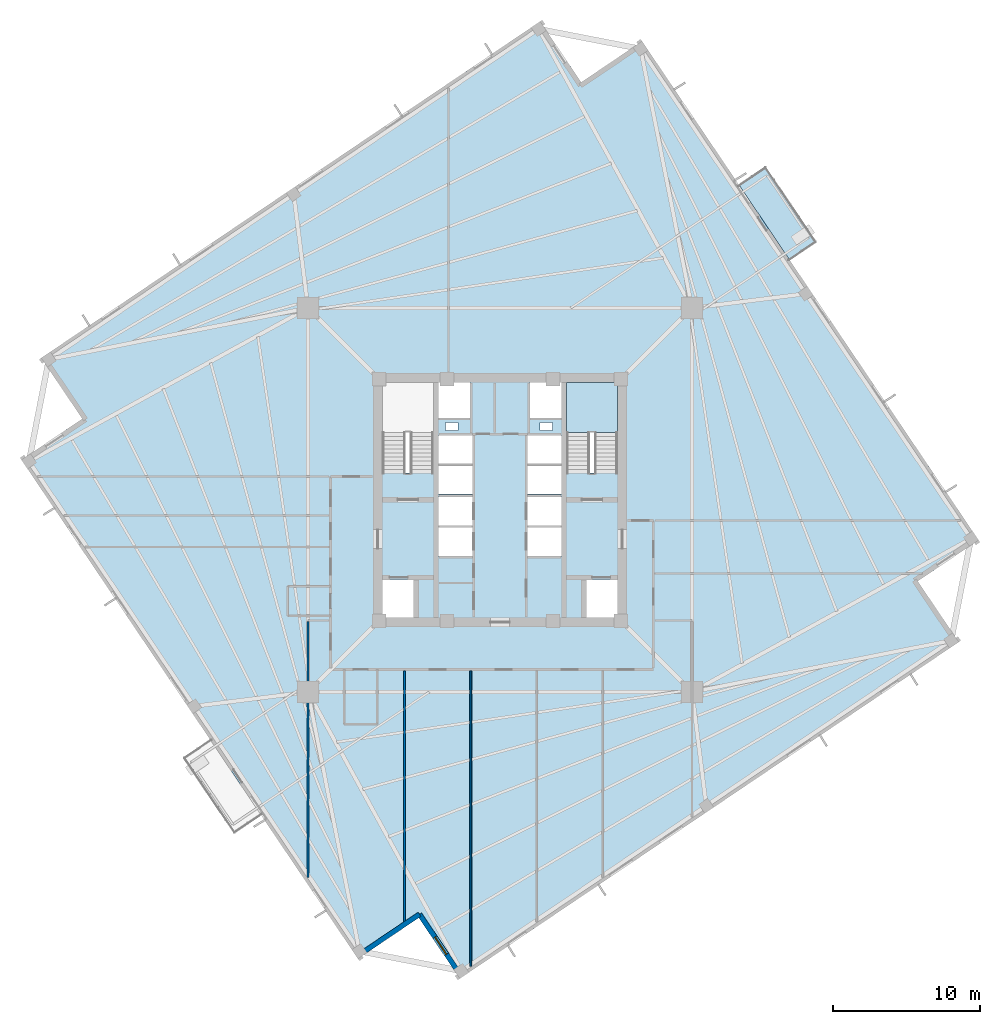
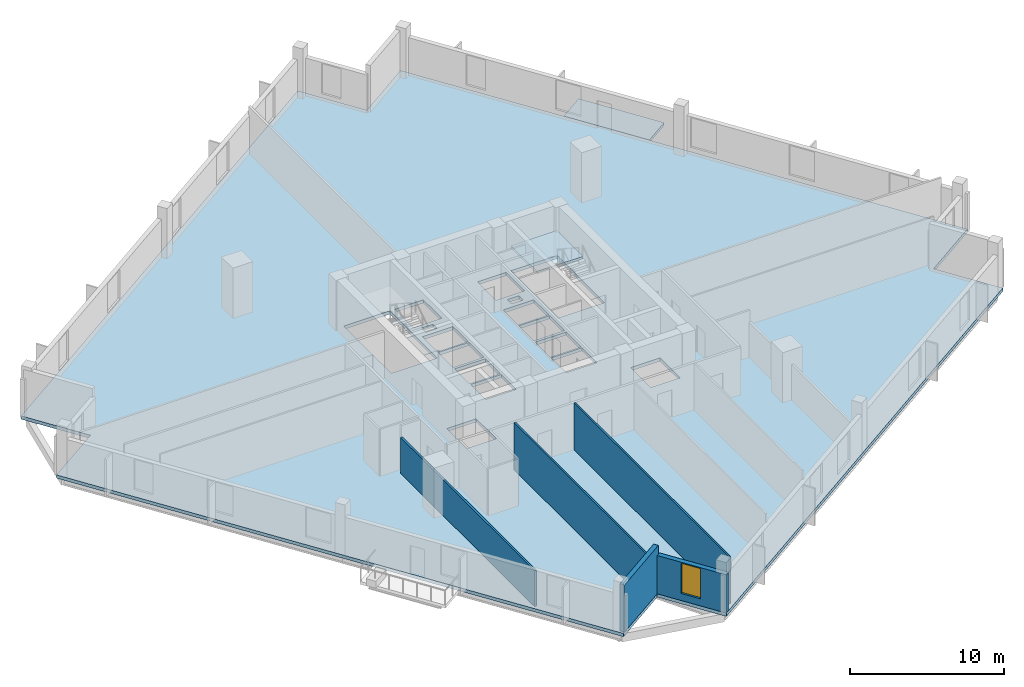
# One storey, part 2 of 9: 5 walls, 3 slabs, 1 window, 1 opening, 1 element without a shape of its own.
"""IFC4 building model written with IfcOpenShell, lengths in metres."""

import ifcopenshell
import ifcopenshell.guid

model = None  # the IFC model being written
_history = None  # IfcOwnerHistory: only IFC2X3 demands one
_inside = {}  # id of a spatial element -> (the spatial element, [elements in it])
_under = {}  # id of a project, library or spatial element -> (it, [spatial elements below it])
_declared = {}  # id of a project -> (the project, [libraries it declares])
_typed = {}  # id of a type object -> (the type object, [elements of that type])
_made_of = {}  # id of a material, layer set ... -> (it, [elements and type objects made of it])


def new_model(schema):
    """Start an empty IFC model of exactly this schema.

    Asked for "IFC4X3", IfcOpenShell would pick the latest addendum, in which some entities
    have other attributes; the version numbers below select the first issue.
    IFC2X3 requires an IfcOwnerHistory on every rooted entity: one is made here for all.
    """
    global model, _history
    if schema == "IFC4X3":
        model = ifcopenshell.file(schema_version=(4, 3, 0, 0))
    else:
        model = ifcopenshell.file(schema=schema)
    _inside.clear()
    _under.clear()
    _declared.clear()
    _typed.clear()
    _made_of.clear()
    _history = None
    if model.schema == "IFC2X3":
        org = make("IfcOrganization", Name="unknown")
        user = make(
            "IfcPersonAndOrganization",
            ThePerson=make("IfcPerson", FamilyName="unknown"),
            TheOrganization=org,
        )
        app = make(
            "IfcApplication",
            ApplicationDeveloper=org,
            Version="unknown",
            ApplicationFullName="unknown",
            ApplicationIdentifier="unknown",
        )
        _history = make(
            "IfcOwnerHistory",
            OwningUser=user,
            OwningApplication=app,
            ChangeAction="ADDED",
            CreationDate=0,
        )
    return model


def make(cls, **values):
    """One entity of the class cls with the attributes given. An attribute that is None is left unset."""
    return model.create_entity(
        cls, **{name: value for name, value in values.items() if value is not None}
    )


def rooted(cls, **values):
    """An entity with a GlobalId (a new one), such as an element, a storey or a relation."""
    return make(cls, GlobalId=ifcopenshell.guid.new(), OwnerHistory=_history, **values)


def si_unit(unit_type, name, prefix=None):
    """IfcSIUnit, for example si_unit("LENGTHUNIT", "METRE", prefix="MILLI")."""
    return make("IfcSIUnit", UnitType=unit_type, Prefix=prefix, Name=name)


def assignment(units):
    """IfcUnitAssignment: the units of a project."""
    return None if units is None else make("IfcUnitAssignment", Units=units)


def point(xyz):
    """IfcCartesianPoint."""
    return None if xyz is None else make("IfcCartesianPoint", Coordinates=xyz)


def direction(xyz):
    """IfcDirection."""
    return None if xyz is None else make("IfcDirection", DirectionRatios=xyz)


def frame(location, z_axis=None, x_axis=None):
    """IfcAxis2Placement3D, a coordinate frame: its origin and axes. An axis left out is left unset."""
    return make(
        "IfcAxis2Placement3D",
        Location=point(location),
        Axis=direction(z_axis),
        RefDirection=direction(x_axis),
    )


def frame_2d(location, x_axis=None):
    """IfcAxis2Placement2D, a coordinate frame in the plane: its origin and x axis."""
    return make(
        "IfcAxis2Placement2D", Location=point(location), RefDirection=direction(x_axis)
    )


def origin():
    """The frame at (0, 0, 0) with its axes left unset."""
    return frame((0.0, 0.0, 0.0))


def place(relative_to, where):
    """IfcLocalPlacement: puts the frame where relative to a parent placement (None: the world)."""
    return make(
        "IfcLocalPlacement", PlacementRelTo=relative_to, RelativePlacement=where
    )


def context(
    kind, dimensions, precision=None, world=None, true_north=None, identifier=None
):
    """IfcGeometricRepresentationContext, for example the 3D "Model" context."""
    return make(
        "IfcGeometricRepresentationContext",
        ContextIdentifier=identifier,
        ContextType=kind,
        CoordinateSpaceDimension=dimensions,
        Precision=precision,
        WorldCoordinateSystem=world,
        TrueNorth=true_north,
    )


def subcontext(parent, identifier, kind, view, scale=None):
    """IfcGeometricRepresentationSubContext, for example "Body" below "Model"."""
    return make(
        "IfcGeometricRepresentationSubContext",
        ContextIdentifier=identifier,
        ContextType=kind,
        ParentContext=parent,
        TargetScale=scale,
        TargetView=view,
    )


def project(units=None, contexts=None):
    """IfcProject with its units and contexts."""
    return rooted(
        "IfcProject",
        Name="project",
        RepresentationContexts=contexts,
        UnitsInContext=assignment(units),
    )


def spatial(cls, under=None, at=None, **own):
    """A site, building, storey or space (cls), placed at a placement, below another one or the project."""
    s = rooted(cls, ObjectPlacement=at, **own)
    if under is not None:
        _under.setdefault(under.id(), (under, []))[1].append(s)
    return s


def polyline(points):
    """IfcPolyline through the points."""
    return make("IfcPolyline", Points=[point(p) for p in points])


def profile(cls, at=None, kind="AREA", **sizes):
    """A parametric profile (cls). Its sizes go by their IFC names, for example OverallWidth=200.0."""
    return make(cls, ProfileType=kind, Position=at, **sizes)


def rectangle(**sizes):
    """IfcRectangleProfileDef."""
    return profile("IfcRectangleProfileDef", **sizes)


def outline(outer, holes=None, kind="AREA"):
    """IfcArbitraryClosedProfileDef: a profile drawn as a closed curve; with holes, ...WithVoids."""
    if holes is None:
        return make("IfcArbitraryClosedProfileDef", ProfileType=kind, OuterCurve=outer)
    return make(
        "IfcArbitraryProfileDefWithVoids",
        ProfileType=kind,
        OuterCurve=outer,
        InnerCurves=holes,
    )


def extrude(swept, where, along, depth):
    """IfcExtrudedAreaSolid: the profile swept, set in the frame where, extruded along a direction by depth."""
    return make(
        "IfcExtrudedAreaSolid",
        SweptArea=swept,
        Position=where,
        ExtrudedDirection=direction(along),
        Depth=depth,
    )


def shape(context_of_items, identifier, shape_type, items):
    """IfcShapeRepresentation: the items that make up one representation, for example the "Body"."""
    return make(
        "IfcShapeRepresentation",
        ContextOfItems=context_of_items,
        RepresentationIdentifier=identifier,
        RepresentationType=shape_type,
        Items=items,
    )


def source(mapping_origin, context_of_items, identifier, shape_type, items):
    """IfcRepresentationMap: a shape defined once, which mapped items show again and again."""
    return make(
        "IfcRepresentationMap",
        MappingOrigin=mapping_origin,
        MappedRepresentation=shape(context_of_items, identifier, shape_type, items),
    )


def transform(
    local_origin,
    x_axis=None,
    y_axis=None,
    z_axis=None,
    scale=None,
    scale2=None,
    scale3=None,
    uniform=True,
):
    """IfcCartesianTransformationOperator3D, or its non-uniform kind. x_axis, y_axis, z_axis: its Axis1, 2, 3."""
    if uniform:
        return make(
            "IfcCartesianTransformationOperator3D",
            Axis1=direction(x_axis),
            Axis2=direction(y_axis),
            LocalOrigin=point(local_origin),
            Scale=scale,
            Axis3=direction(z_axis),
        )
    return make(
        "IfcCartesianTransformationOperator3DnonUniform",
        Axis1=direction(x_axis),
        Axis2=direction(y_axis),
        LocalOrigin=point(local_origin),
        Scale=scale,
        Axis3=direction(z_axis),
        Scale2=scale2,
        Scale3=scale3,
    )


def mapped(mapping_source, mapping_target):
    """IfcMappedItem: shows the shape of a source again, moved by a transform."""
    return make(
        "IfcMappedItem", MappingSource=mapping_source, MappingTarget=mapping_target
    )


def material(Name=None, Category=None):
    """IfcMaterial."""
    return make("IfcMaterial", Name=Name, Category=Category)


def layer(
    of_material, thickness, ventilated=None, Name=None, Category=None, Priority=None
):
    """IfcMaterialLayer: one layer of a wall or slab, of a material (None: an air gap)."""
    return make(
        "IfcMaterialLayer",
        Material=of_material,
        LayerThickness=thickness,
        IsVentilated=ventilated,
        Name=Name,
        Category=Category,
        Priority=Priority,
    )


def layer_set(layers, Name=None):
    """IfcMaterialLayerSet."""
    return make("IfcMaterialLayerSet", MaterialLayers=layers, LayerSetName=Name)


def made_of(thing, what):
    """Note that an element or type object is made of a material, layer set ...; save() writes the relation."""
    if what is not None:
        _made_of.setdefault(what.id(), (what, []))[1].append(thing)
    return thing


def type_object(cls, material=None, **own):
    """A type object (cls), such as IfcWallType, which elements share."""
    return made_of(rooted(cls, **own), material)


def element(
    cls,
    number,
    at=None,
    inside=None,
    cuts=None,
    type_object=None,
    material=None,
    context=None,
    identifier="Body",
    shape_type=None,
    held_by="IfcProductDefinitionShape",
    body=None,
    shapes=None,
    **own,
):
    """One element of the class cls, such as IfcWall. Its Tag is "e" and its number.

    at: its placement. inside: the storey or other place that contains it. cuts: it is an
    opening in that element (IfcRelVoidsElement). A single representation is given by context,
    identifier, shape_type and body (its items); several are given by shapes. held_by: the class
    of the entity that holds the representations. save() writes the other relations.
    """
    e = rooted(cls, Tag="e%d" % number, ObjectPlacement=at, **own)
    if body is not None:
        shapes = [shape(context, identifier, shape_type, body)]
    if shapes is not None:
        e.Representation = make(held_by, Representations=shapes)
    if inside is not None:
        _inside.setdefault(inside.id(), (inside, []))[1].append(e)
    if cuts is not None:
        rooted(
            "IfcRelVoidsElement", RelatingBuildingElement=cuts, RelatedOpeningElement=e
        )
    if type_object is not None:
        _typed.setdefault(type_object.id(), (type_object, []))[1].append(e)
    return made_of(e, material)


def fill(opening, filler):
    """IfcRelFillsElement: the door or window that sits in an opening."""
    return rooted(
        "IfcRelFillsElement",
        RelatingOpeningElement=opening,
        RelatedBuildingElement=filler,
    )


def aggregate(whole, parts):
    """IfcRelAggregates: a whole, such as a stair, and the parts it consists of."""
    return rooted("IfcRelAggregates", RelatingObject=whole, RelatedObjects=parts)


def save(model, path):
    """Write the relations noted so far, then the file.

    IfcRelAggregates (storeys below a building ...), IfcRelContainedInSpatialStructure (elements
    in a storey), IfcRelDefinesByType, IfcRelAssociatesMaterial and IfcRelDeclares: one each for
    every whole, place, type object, material and project.
    """
    for whole, parts in _under.values():
        aggregate(whole, parts)
    for where, things in _inside.values():
        rooted(
            "IfcRelContainedInSpatialStructure",
            RelatedElements=things,
            RelatingStructure=where,
        )
    for kind, things in _typed.values():
        rooted("IfcRelDefinesByType", RelatedObjects=things, RelatingType=kind)
    for what, things in _made_of.values():
        rooted("IfcRelAssociatesMaterial", RelatedObjects=things, RelatingMaterial=what)
    for by, libraries in _declared.values():
        rooted("IfcRelDeclares", RelatingContext=by, RelatedDefinitions=libraries)
    model.write(path)


model = new_model("IFC4")

# Units and contexts
model_context = context("Model", 3, precision=1e-05, world=origin(), true_north=direction((0.0, 1.0)))
body_context = subcontext(model_context, "Body", "Model", "MODEL_VIEW")
ifc_project = project(units=[si_unit("LENGTHUNIT", "METRE"), si_unit("AREAUNIT", "SQUARE_METRE"), si_unit("VOLUMEUNIT", "CUBIC_METRE"), si_unit("PLANEANGLEUNIT", "RADIAN"), si_unit("MASSUNIT", "GRAM", prefix="KILO"), si_unit("THERMODYNAMICTEMPERATUREUNIT", "KELVIN")], contexts=[model_context])

# Site, building, storey
site_placement = place(None, origin())
site = spatial("IfcSite", under=ifc_project, at=site_placement, CompositionType="ELEMENT")
building_placement = place(site_placement, origin())
building = spatial("IfcBuilding", under=site, at=building_placement, Name="Kosmvard Interchange Tower", CompositionType="ELEMENT")
storey_placement = place(building_placement, frame((0.0, 0.0, 156.39990234375)))
storey = spatial("IfcBuildingStorey", under=building, at=storey_placement, Name="L37", CompositionType="ELEMENT", Elevation=156.39990234375)

# Slab
ifc_material_1 = material(Name="Concrete C50/60", Category="concrete")
ifc_layer_1 = layer(ifc_material_1, 0.260009765625, Name="Concrete C50/60")
ifc_layer_set_1 = layer_set([ifc_layer_1], Name="Concrete C50/60")
slab_type_1 = type_object("IfcSlabType", Name="Mid-Rise Office Composite Slab 260 C50/60", PredefinedType="FLOOR", material=ifc_layer_set_1)
slab_1_placement = place(storey_placement, frame((0.0, 0.0, -0.260009765625)))
element("IfcSlab", 1, at=slab_1_placement, inside=storey, type_object=slab_type_1, Name="L37 Structural Floor Slab", PredefinedType="FLOOR", context=body_context, shape_type="SweptSolid", body=[
    extrude(outline(polyline([(-2.73583984375, -32.60400390625), (31.254638671875, -9.677001953125), (28.458740234375, -5.53173828125), (32.60400390625, -2.73583984375), (9.677001953125, 31.254638671875), (5.53173828125, 28.458740234375), (2.73583984375, 32.60400390625), (-31.254638671875, 9.677001953125), (-28.458740234375, 5.53173828125), (-32.60400390625, 2.73583984375), (-9.677001953125, -31.254638671875), (-5.53173828125, -28.458740234375), (-2.73583984375, -32.60400390625)]), holes=[polyline([(-8.0, 1.8349609375), (-4.5400390625, 1.8349609375), (-4.5400390625, 8.0), (-8.0, 8.0), (-8.0, 1.8349609375)]), polyline([(4.5400390625, 1.8349609375), (8.0, 1.8349609375), (8.0, 8.0), (4.5400390625, 8.0), (4.5400390625, 1.8349609375)]), polyline([(-8.0, -8.0), (-5.800048828125, -8.0), (-5.800048828125, -5.39990234375), (-8.0, -5.39990234375), (-8.0, -8.0)]), polyline([(5.800048828125, -8.0), (8.0, -8.0), (8.0, -5.39990234375), (5.800048828125, -5.39990234375), (5.800048828125, -8.0)]), polyline([(-4.179931640625, -3.800048828125), (-1.8798828125, -3.800048828125), (-1.8798828125, -1.860107421875), (-4.179931640625, -1.860107421875), (-4.179931640625, -3.800048828125)]), polyline([(-4.179931640625, -1.739990234375), (-1.8798828125, -1.739990234375), (-1.8798828125, 0.199951171875), (-4.179931640625, 0.199951171875), (-4.179931640625, -1.739990234375)]), polyline([(1.8798828125, -3.800048828125), (4.179931640625, -3.800048828125), (4.179931640625, -1.860107421875), (1.8798828125, -1.860107421875), (1.8798828125, -3.800048828125)]), polyline([(1.8798828125, -1.739990234375), (4.179931640625, -1.739990234375), (4.179931640625, 0.199951171875), (1.8798828125, 0.199951171875), (1.8798828125, -1.739990234375)]), polyline([(-4.179931640625, 0.39990234375), (-1.8798828125, 0.39990234375), (-1.8798828125, 2.340087890625), (-4.179931640625, 2.340087890625), (-4.179931640625, 0.39990234375)]), polyline([(-4.179931640625, 2.4599609375), (-1.8798828125, 2.4599609375), (-1.8798828125, 4.39990234375), (-4.179931640625, 4.39990234375), (-4.179931640625, 2.4599609375)]), polyline([(1.8798828125, 0.39990234375), (4.179931640625, 0.39990234375), (4.179931640625, 2.340087890625), (1.8798828125, 2.340087890625), (1.8798828125, 0.39990234375)]), polyline([(1.8798828125, 2.4599609375), (4.179931640625, 2.4599609375), (4.179931640625, 4.39990234375), (1.8798828125, 4.39990234375), (1.8798828125, 2.4599609375)]), polyline([(-4.179931640625, 5.60009765625), (-2.0400390625, 5.60009765625), (-2.0400390625, 8.0), (-4.179931640625, 8.0), (-4.179931640625, 5.60009765625)]), polyline([(2.0400390625, 5.60009765625), (4.179931640625, 5.60009765625), (4.179931640625, 8.0), (2.0400390625, 8.0), (2.0400390625, 5.60009765625)]), polyline([(-3.715087890625, 4.739990234375), (-2.864990234375, 4.739990234375), (-2.864990234375, 5.2900390625), (-3.715087890625, 5.2900390625), (-3.715087890625, 4.739990234375)]), polyline([(2.715087890625, 4.739990234375), (3.56494140625, 4.739990234375), (3.56494140625, 5.2900390625), (2.715087890625, 5.2900390625), (2.715087890625, 4.739990234375)])]), origin(), (0.0, 0.0, 1.0), 0.260009765625),
])

# Stair, slab
stair_type = type_object("IfcStairType", Name="Dog-Leg Core Exit Stair H4000 C50/60", PredefinedType="HALF_TURN_STAIR", material=ifc_material_1)
stair_placement = place(storey_placement, origin())
stair = element("IfcStair", 2, at=stair_placement, inside=storey, type_object=stair_type, Name="L37 Protected Exit Stair ST-2", PredefinedType="HALF_TURN_STAIR")
ifc_layer_2 = layer(ifc_material_1, 0.199951171875, Name="Concrete C50/60")
ifc_layer_set_2 = layer_set([ifc_layer_2], Name="Concrete C50/60")
slab_type_2 = type_object("IfcSlabType", Name="Stair Half-Landing Slab 200 C50/60", PredefinedType="LANDING", material=ifc_layer_set_2)
slab_2_placement = place(storey_placement, frame((0.0, 0.0, 1.800048828125)))
slab_2 = element("IfcSlab", 3, at=slab_2_placement, type_object=slab_type_2, Name="ST-2 landing 1", PredefinedType="LANDING", context=body_context, shape_type="SweptSolid", body=[
    extrude(outline(polyline([(8.0, 4.60009765625), (8.0, 8.0), (4.5400390625, 8.0), (4.5400390625, 4.60009765625), (8.0, 4.60009765625)])), origin(), (0.0, 0.0, 1.0), 0.199951171875),
])
aggregate(stair, [slab_2])

# Slab
ifc_layer_3 = layer(ifc_material_1, 0.22998046875, Name="Concrete C50/60")
ifc_layer_set_3 = layer_set([ifc_layer_3], Name="Concrete C50/60")
slab_type_3 = type_object("IfcSlabType", Name="Tree-Planter Cantilever Balcony Slab 230 C50/60", PredefinedType="FLOOR", material=ifc_layer_set_3)
slab_3_placement = place(storey_placement, frame((0.0, 0.0, -0.22998046875)))
element("IfcSlab", 4, at=slab_3_placement, inside=storey, type_object=slab_type_3, Name="L37 Outdoor Terrace Balcony Slab BAL-L37-E", PredefinedType="FLOOR", context=body_context, shape_type="SweptSolid", body=[
    extrude(outline(polyline([(19.742431640625, 16.33203125), (21.56640625, 17.562255859375), (18.099365234375, 22.702392578125), (16.275390625, 21.47216796875), (19.742431640625, 16.33203125)])), origin(), (0.0, 0.0, 1.0), 0.22998046875),
])

# Walls
ifc_material_2 = material(Name="Acoustic gypsum partition system")
ifc_layer_4 = layer(ifc_material_2, 0.14990234375, Name="Acoustic gypsum partition system")
ifc_layer_set_4 = layer_set([ifc_layer_4], Name="Acoustic gypsum partition system")
wall_type_1 = type_object("IfcWallType", Name="Acoustic Suite & Meeting Partition 150", PredefinedType="PARTITIONING", material=ifc_layer_set_4)
wall_1_placement = place(storey_placement, frame((-13.0810546875, -8.27490234375, 0.0), z_axis=(0.0, 0.0, 1.0), x_axis=(0.0, -1.0, 0.0)))
element("IfcWall", 5, at=wall_1_placement, inside=storey, type_object=wall_type_1, Name="L37 Room Partition 06.1", PredefinedType="PARTITIONING", context=body_context, shape_type="SweptSolid", body=[
    extrude(rectangle(XDim=17.44140625, YDim=0.14990234375, at=frame_2d((8.720703125, 0.0))), origin(), (0.0, 0.0, 1.0), 2.840087890625),
])
ifc_material_3 = material(Name="Precast concrete C45/55", Category="concrete")
ifc_layer_5 = layer(ifc_material_3, 0.340087890625, Name="Precast concrete C45/55")
ifc_layer_set_5 = layer_set([ifc_layer_5], Name="Precast concrete C45/55")
wall_type_2 = type_object("IfcWallType", Name="Mid Tower Precast Pier Wall 340 C45/55", PredefinedType="STANDARD", material=ifc_layer_set_5)
wall_2_placement = place(storey_placement, frame((-9.631103515625, -31.018798828125, 0.0), z_axis=(0.0, 0.0, 1.0), x_axis=(0.829025804298, 0.559210350234, 0.0)))
element("IfcWall", 6, at=wall_2_placement, inside=storey, type_object=wall_type_2, Name="L37 Precast Facade Wall N-SW1", PredefinedType="STANDARD", context=body_context, shape_type="SweptSolid", body=[
    extrude(rectangle(XDim=5.000244140625, YDim=0.340087890625, at=frame_2d((2.5, 0.0))), origin(), (0.0, 0.0, 1.0), 3.739990234375),
])

# Wall, opening, window
wall_3_placement = place(storey_placement, frame((-5.48583984375, -28.22265625, 0.0), z_axis=(0.0, 0.0, 1.0), x_axis=(0.559171107879, -0.82905227345, 0.0)))
wall_3 = element("IfcWall", 7, at=wall_3_placement, inside=storey, type_object=wall_type_2, Name="L37 Precast Facade Wall N-SW2", PredefinedType="STANDARD", context=body_context, shape_type="SweptSolid", body=[
    extrude(rectangle(XDim=5.169921875, YDim=0.340087890625, at=frame_2d((2.5849609375, 0.0))), origin(), (0.0, 0.0, 1.0), 3.0400390625),
])
opening_placement = place(wall_3_placement, frame((1.885009765625, 0.0, 0.56005859375)))
opening = element("IfcOpeningElement", 8, at=opening_placement, cuts=wall_3, Name="Opening L37-W24", PredefinedType="OPENING", context=body_context, shape_type="SweptSolid", body=[
    extrude(rectangle(XDim=1.39990234375, YDim=2.39990234375, at=frame_2d((0.699951171875, 1.199951171875))), frame((0.0, 0.18017578125, 0.0), z_axis=(0.0, -1.0, 0.0), x_axis=(1.0, 0.0, 0.0)), (0.0, 0.0, 1.0), 0.360107421875),
])
ifc_material_4 = material(Name="Low-E solar-control double glazing", Category="glass")
window_type = type_object("IfcWindowType", Name="Notched Corner Feature Window 1400x2400", PartitioningType="SINGLE_PANEL", PredefinedType="WINDOW", material=ifc_material_4)
shared_shape = source(origin(), body_context, "Body", "SweptSolid", [
    extrude(rectangle(XDim=1.39990234375, YDim=2.39990234375, at=frame_2d((0.699951171875, 1.199951171875))), frame((0.0, 0.030029296875, 0.0), z_axis=(0.0, -1.0, 0.0), x_axis=(1.0, 0.0, 0.0)), (0.0, 0.0, 1.0), 0.06005859375),
])
window_placement = place(opening_placement, origin())
window = element("IfcWindow", 9, at=window_placement, inside=storey, type_object=window_type, Name="L37 Corner Notch Window 24", OverallHeight=2.39990234375, OverallWidth=1.39990234375, PartitioningType="SINGLE_PANEL", PredefinedType="WINDOW", context=body_context, shape_type="MappedRepresentation", body=[
    mapped(shared_shape, transform((0.0, 0.0, 0.0), scale=1.0)),
])
fill(opening, window)

# Walls
ifc_material_5 = material(Name="Gypsum board partition system")
ifc_layer_6 = layer(ifc_material_5, 0.1201171875, Name="Gypsum board partition system")
ifc_layer_set_6 = layer_set([ifc_layer_6], Name="Gypsum board partition system")
wall_type_3 = type_object("IfcWallType", Name="Office Cellular Partition 120", PredefinedType="PARTITIONING", material=ifc_layer_set_6)
wall_4_placement = place(storey_placement, frame((-6.5, -28.780029296875, 0.0), z_axis=(0.0, 0.0, 1.0), x_axis=(0.0, 1.0, 0.0)))
element("IfcWall", 10, at=wall_4_placement, inside=storey, type_object=wall_type_3, Name="L37 Room Partition 08.1", PredefinedType="PARTITIONING", context=body_context, shape_type="SweptSolid", body=[
    extrude(rectangle(XDim=17.135009765625, YDim=0.1201171875, at=frame_2d((8.5673828125, 0.0))), origin(), (0.0, 0.0, 1.0), 3.739990234375),
])
wall_5_placement = place(storey_placement, frame((-2.0, -31.77587890625, 0.0), z_axis=(0.0, 0.0, 1.0), x_axis=(0.0, 1.0, 0.0)))
element("IfcWall", 11, at=wall_5_placement, inside=storey, type_object=wall_type_3, Name="L37 Room Partition 09.1", PredefinedType="PARTITIONING", context=body_context, shape_type="SweptSolid", body=[
    extrude(rectangle(XDim=20.130859375, YDim=0.1201171875, at=frame_2d((10.0654296875, 0.0))), origin(), (0.0, 0.0, 1.0), 3.739990234375),
])

save(model, "model.ifc")
